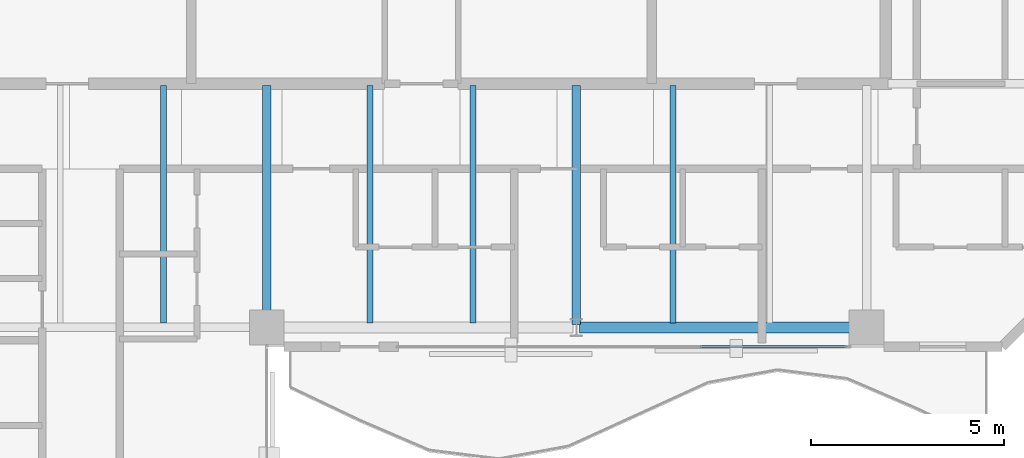
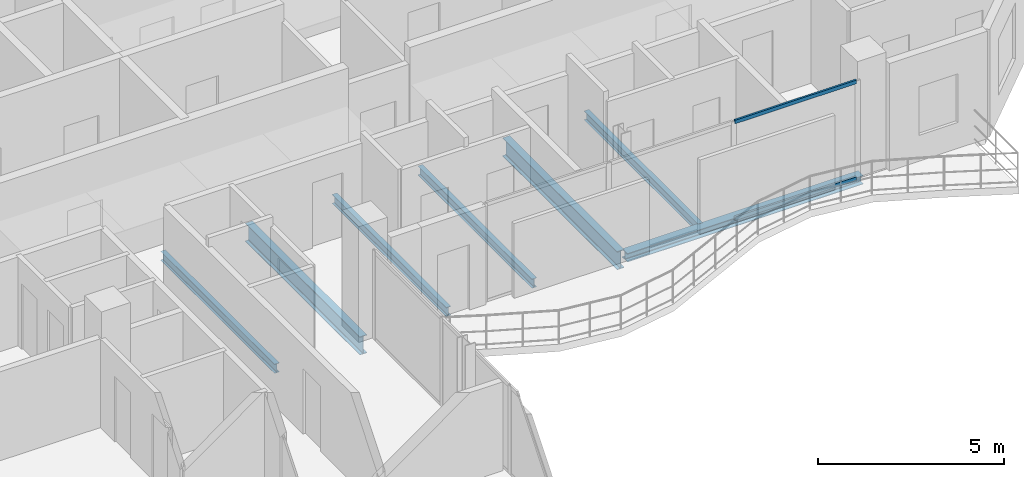
# One storey, part 13 of 22: 7 beams, 2 members, 1 element without a shape of its own.
"""IFC4 building model written with IfcOpenShell, lengths in metres."""

from ifc_helpers import new_model, si_unit, direction, frame, origin, origin_2d, place, context, subcontext, project, spatial, hollow_rectangle, i_section, extrude, material, layer, layer_set, material_profile, profile_set, type_object, element, aggregate, save


model = new_model("IFC4")

# Units and contexts
model_context = context("Model", 3, precision=1e-05, world=origin(), true_north=direction((0.0, 1.0)))
body_context = subcontext(model_context, "Body", "Model", "MODEL_VIEW")
ifc_project = project(units=[si_unit("LENGTHUNIT", "METRE"), si_unit("AREAUNIT", "SQUARE_METRE"), si_unit("VOLUMEUNIT", "CUBIC_METRE"), si_unit("PLANEANGLEUNIT", "RADIAN"), si_unit("MASSUNIT", "GRAM", prefix="KILO")], contexts=[model_context])

# Site, building, storey
site_placement = place(None, origin())
site = spatial("IfcSite", under=ifc_project, at=site_placement, CompositionType="ELEMENT")
building_placement = place(site_placement, origin())
building = spatial("IfcBuilding", under=site, at=building_placement, Name="Catumbela Crestline Tower", CompositionType="ELEMENT")
storey_placement = place(building_placement, frame((0.0, 0.0, 233.6)))
storey = spatial("IfcBuildingStorey", under=building, at=storey_placement, Name="L60", CompositionType="ELEMENT", Elevation=233.6)

# Beams
ifc_material_1 = material(Name="Structural steel S355J2", Category="steel")
ifc_material_profile_1 = material_profile(ifc_material_1, i_section(OverallWidth=0.22, OverallDepth=0.6, WebThickness=0.012, FlangeThickness=0.019, FilletRadius=0.024, at=origin_2d()), Name="IPE 600")
ifc_profile_set_1 = profile_set([ifc_material_profile_1], Name="Structural steel S355J2")
beam_type_1 = type_object("IfcBeamType", Name="BG-IPE600", PredefinedType="BEAM", material=ifc_profile_set_1)
for number, where, z_axis, x_axis, name in (
    (1, (24.0, 24.58, -0.56), (0.0, 1.0, 0.0), (-1.0, 0.0, 0.0), "L60 Beam BM-L60-SNS16"),
    (2, (32.0, 24.58, -0.56), (0.0, 1.0, 0.0), (-1.0, 0.0, 0.0), "L60 Beam BM-L60-SNS17"),
):
    element("IfcBeam", number, at=place(storey_placement, frame(where, z_axis=z_axis, x_axis=x_axis)), inside=storey, type_object=beam_type_1, Name=name, PredefinedType="BEAM", context=body_context, shape_type="SweptSolid", body=[
        extrude(i_section(OverallWidth=0.22, OverallDepth=0.6, WebThickness=0.012, FlangeThickness=0.019, FilletRadius=0.024, at=origin_2d()), origin(), (0.0, 0.0, 1.0), 6.17),
    ])
ifc_material_profile_2 = material_profile(ifc_material_1, i_section(OverallWidth=0.15, OverallDepth=0.3, WebThickness=0.0071, FlangeThickness=0.0107, FilletRadius=0.015, at=origin_2d()), Name="IPE 300")
ifc_profile_set_2 = profile_set([ifc_material_profile_2], Name="Structural steel S355J2")
beam_type_2 = type_object("IfcBeamType", Name="BJ-IPE300", PredefinedType="JOIST", material=ifc_profile_set_2)
for number, where, z_axis, x_axis, name in (
    (3, (21.333, 24.61, -0.41), (0.0, 1.0, 0.0), (-1.0, 0.0, 0.0), "L60 Joist JS-L60-SP22"),
    (4, (26.667, 24.61, -0.41), (0.0, 1.0, 0.0), (-1.0, 0.0, 0.0), "L60 Joist JS-L60-SP23"),
    (5, (29.333, 24.61, -0.41), (0.0, 1.0, 0.0), (-1.0, 0.0, 0.0), "L60 Joist JS-L60-SP24"),
    (6, (34.5, 24.61, -0.41), (0.0, 1.0, 0.0), (-1.0, 0.0, 0.0), "L60 Joist JS-L60-SP25"),
):
    element("IfcBeam", number, at=place(storey_placement, frame(where, z_axis=z_axis, x_axis=x_axis)), inside=storey, type_object=beam_type_2, Name=name, PredefinedType="JOIST", context=body_context, shape_type="SweptSolid", body=[
        extrude(i_section(OverallWidth=0.15, OverallDepth=0.3, WebThickness=0.0071, FlangeThickness=0.0107, FilletRadius=0.015, at=origin_2d()), origin(), (0.0, 0.0, 1.0), 6.14),
    ])
ifc_material_profile_3 = material_profile(ifc_material_1, i_section(OverallWidth=0.28, OverallDepth=0.28, WebThickness=0.0105, FlangeThickness=0.018, FilletRadius=0.024, at=origin_2d()), Name="HEB 280")
ifc_profile_set_3 = profile_set([ifc_material_profile_3], Name="Structural steel S355J2")
beam_type_3 = type_object("IfcBeamType", Name="BS-HEB280", PredefinedType="SPANDREL", material=ifc_profile_set_3)
beam_placement = place(storey_placement, frame((32.08, 24.5, -0.4), z_axis=(1.0, 0.0, 0.0), x_axis=(0.0, 1.0, 0.0)))
element("IfcBeam", 7, at=beam_placement, inside=storey, type_object=beam_type_3, Name="L60 Spandrel SP-L60-S05", PredefinedType="SPANDREL", context=body_context, shape_type="SweptSolid", body=[
    extrude(i_section(OverallWidth=0.28, OverallDepth=0.28, WebThickness=0.0105, FlangeThickness=0.018, FilletRadius=0.024, at=origin_2d()), origin(), (0.0, 0.0, 1.0), 7.34),
])

# Curtain wall, members
ifc_material_2 = material(Name="Aluminium alloy AW-6060-T66", Category="aluminium")
ifc_layer = layer(ifc_material_2, 0.18, Name="Aluminium alloy AW-6060-T66")
ifc_layer_set = layer_set([ifc_layer], Name="Aluminium alloy AW-6060-T66")
curtain_wall_type = type_object("IfcCurtainWallType", Name="CWU-Z4", PredefinedType="USERDEFINED", material=ifc_layer_set)
curtain_wall_placement = place(storey_placement, origin())
curtain_wall = element("IfcCurtainWall", 8, at=curtain_wall_placement, inside=storey, type_object=curtain_wall_type, Name="L60 Unitised Curtain Wall CW-L60-E3S2", ObjectType="UNITISED", PredefinedType="USERDEFINED")
ifc_material_profile_4 = material_profile(ifc_material_2, hollow_rectangle(XDim=0.06, YDim=0.12, WallThickness=0.0035, at=origin_2d()), Name="ALU 120x60x3.5")
ifc_profile_set_4 = profile_set([ifc_material_profile_4], Name="Aluminium alloy AW-6060-T66")
member_type = type_object("IfcMemberType", Name="TRN-120X60", PredefinedType="USERDEFINED", material=ifc_profile_set_4)
member_1_placement = place(storey_placement, frame((35.1992, 24.0, 0.03), z_axis=(1.0, 0.0, 0.0), x_axis=(0.0, 1.0, 0.0)))
member_1 = element("IfcMember", 9, at=member_1_placement, type_object=member_type, Name="CWU-Z4 transom 3.1", ObjectType="TRANSOM", PredefinedType="USERDEFINED", context=body_context, shape_type="SweptSolid", body=[
    extrude(hollow_rectangle(XDim=0.06, YDim=0.12, WallThickness=0.0035, at=origin_2d()), origin(), (0.0, 0.0, 1.0), 3.7858),
])
member_2_placement = place(storey_placement, frame((35.1992, 24.0, 3.21), z_axis=(1.0, 0.0, 0.0), x_axis=(0.0, 1.0, 0.0)))
member_2 = element("IfcMember", 10, at=member_2_placement, type_object=member_type, Name="CWU-Z4 transom 3.2", ObjectType="TRANSOM", PredefinedType="USERDEFINED", context=body_context, shape_type="SweptSolid", body=[
    extrude(hollow_rectangle(XDim=0.06, YDim=0.12, WallThickness=0.0035, at=origin_2d()), origin(), (0.0, 0.0, 1.0), 3.7858),
])
aggregate(curtain_wall, [member_1, member_2])

save(model, "model.ifc")
